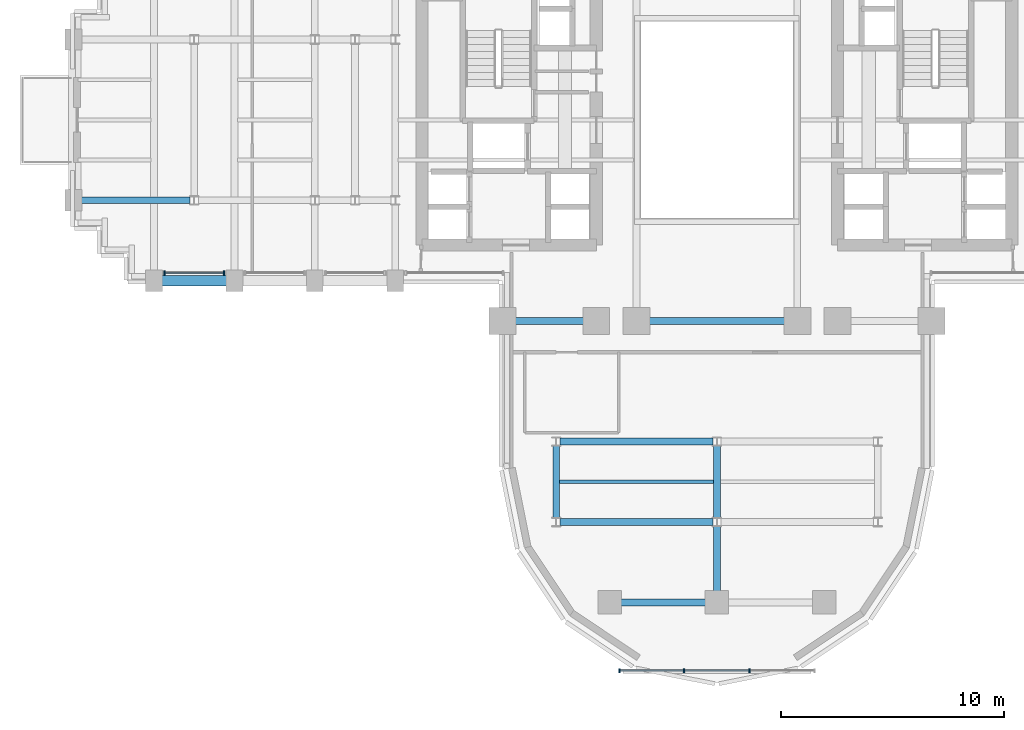
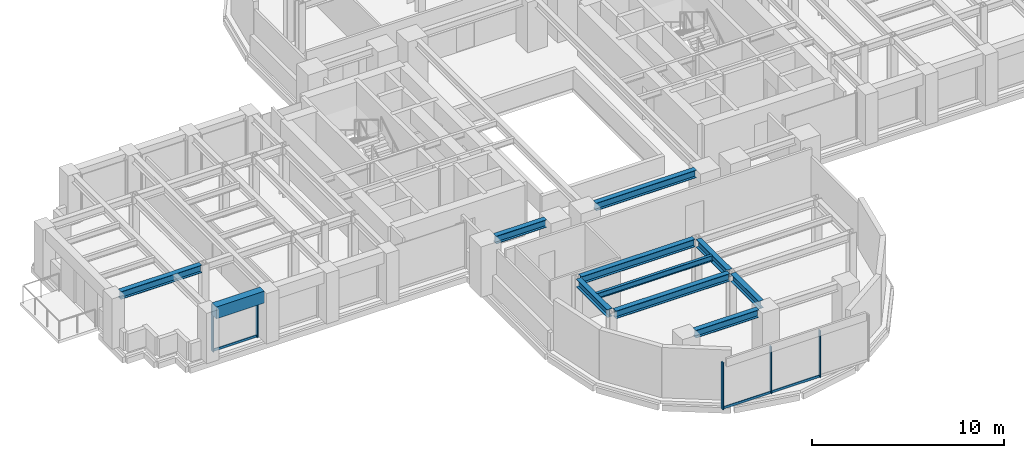
# One storey, part 3 of 15: 11 beams, 8 members, 2 elements without a shape of their own.
"""IFC4 building model written with IfcOpenShell, lengths in metres."""

from ifc_helpers import new_model, si_unit, direction, frame, origin, origin_2d, place, context, subcontext, project, spatial, rectangle, i_section, extrude, source, transform, mapped, material, material_profile, profile_set, type_object, element, aggregate, save


model = new_model("IFC4")

# Units and contexts
model_context = context("Model", 3, precision=1e-05, world=origin(), true_north=direction((0.0, 1.0)))
body_context = subcontext(model_context, "Body", "Model", "MODEL_VIEW")
ifc_project = project(units=[si_unit("LENGTHUNIT", "METRE"), si_unit("AREAUNIT", "SQUARE_METRE"), si_unit("VOLUMEUNIT", "CUBIC_METRE"), si_unit("PLANEANGLEUNIT", "RADIAN"), si_unit("MASSUNIT", "GRAM", prefix="KILO")], contexts=[model_context])

# Site, building, storey
site_placement = place(None, origin())
site = spatial("IfcSite", under=ifc_project, at=site_placement, CompositionType="ELEMENT")
building_placement = place(site_placement, origin())
building = spatial("IfcBuilding", under=site, at=building_placement, Name="Keilestroom Media Tower", CompositionType="ELEMENT")
storey_placement = place(building_placement, frame((0.0, 0.0, 47.60009765625)))
storey = spatial("IfcBuildingStorey", under=building, at=storey_placement, Name="L11", CompositionType="ELEMENT", Elevation=47.60009765625)

# Beams
ifc_material_1 = material(Name="Precast concrete C40/50", Category="concrete")
ifc_material_profile_1 = material_profile(ifc_material_1, rectangle(XDim=0.449951171875, YDim=0.75, at=origin_2d()), Name="PC 450x750")
ifc_profile_set_1 = profile_set([ifc_material_profile_1], Name="Precast concrete C40/50")
beam_type_1 = type_object("IfcBeamType", Name="Perimeter-Spandrel-Beam-PC-450x750", PredefinedType="SPANDREL", material=ifc_profile_set_1)
shared_shape_1 = source(origin(), body_context, "Body", "SweptSolid", [
    extrude(rectangle(XDim=0.449951171875, YDim=0.75, at=origin_2d()), origin(), (0.0, 0.0, 1.0), 2.889892578125),
])
beam_1_placement = place(storey_placement, frame((-24.844970703125, -7.199951171875, 2.824951171875), z_axis=(1.0, 0.0, 0.0), x_axis=(0.0, 1.0, 0.0)))
element("IfcBeam", 1, at=beam_1_placement, inside=storey, type_object=beam_type_1, Name="L11 Beam SPB-1 BM-L11-EW-012", PredefinedType="SPANDREL", context=body_context, shape_type="MappedRepresentation", body=[
    mapped(shared_shape_1, transform((0.0, 0.0, 0.0), x_axis=(1.0, 0.0, 0.0), y_axis=(0.0, 1.0, 0.0), z_axis=(0.0, 0.0, 1.0), scale=1.0)),
])
ifc_material_2 = material(Name="Steel S355", Category="steel")
ifc_material_profile_2 = material_profile(ifc_material_2, i_section(OverallWidth=0.300048828125, OverallDepth=0.5, WebThickness=0.012451171875, FlangeThickness=0.028076171875, at=origin_2d()), Name="HEB 500")
ifc_profile_set_2 = profile_set([ifc_material_profile_2], Name="Steel S355")
beam_type_2 = type_object("IfcBeamType", Name="Primary-Structural-Girder-HEB-500", PredefinedType="BEAM", material=ifc_profile_set_2)
shared_shape_2 = source(origin(), body_context, "Body", "SweptSolid", [
    extrude(i_section(OverallWidth=0.300048828125, OverallDepth=0.5, WebThickness=0.012451171875, FlangeThickness=0.028076171875, at=origin_2d()), origin(), (0.0, 0.0, 1.0), 3.23291015625),
])
for number, where, z_axis, x_axis, name in (
    (2, (-7.199951171875, -17.81640625, 2.949951171875), (0.0, 1.0, 0.0), (-1.0, 0.0, 0.0), "L11 Beam BG-6 BM-L11-NS-063"),
    (3, (0.0, -17.81640625, 2.949951171875), (0.0, 1.0, 0.0), (-1.0, 0.0, 0.0), "L11 Beam BG-6 BM-L11-NS-068"),
):
    element("IfcBeam", number, at=place(storey_placement, frame(where, z_axis=z_axis, x_axis=x_axis)), inside=storey, type_object=beam_type_2, Name=name, PredefinedType="BEAM", context=body_context, shape_type="MappedRepresentation", body=[
        mapped(shared_shape_2, transform((0.0, 0.0, 0.0), x_axis=(1.0, 0.0, 0.0), y_axis=(0.0, 1.0, 0.0), z_axis=(0.0, 0.0, 1.0), scale=1.0)),
    ])
shared_shape_3 = source(origin(), body_context, "Body", "SweptSolid", [
    extrude(i_section(OverallWidth=0.300048828125, OverallDepth=0.5, WebThickness=0.012451171875, FlangeThickness=0.028076171875, at=origin_2d()), origin(), (0.0, 0.0, 1.0), 2.911376953125),
])
beam_2_placement = place(storey_placement, frame((0.0, -21.094970703125, 2.949951171875), z_axis=(0.0, 1.0, 0.0), x_axis=(-1.0, 0.0, 0.0)))
element("IfcBeam", 4, at=beam_2_placement, inside=storey, type_object=beam_type_2, Name="L11 Beam BG-6 BM-L11-NS-067", PredefinedType="BEAM", context=body_context, shape_type="MappedRepresentation", body=[
    mapped(shared_shape_3, transform((0.0, 0.0, 0.0), x_axis=(1.0, 0.0, 0.0), y_axis=(0.0, 1.0, 0.0), z_axis=(0.0, 0.0, 1.0), scale=1.0)),
])
ifc_material_profile_3 = material_profile(ifc_material_2, i_section(OverallWidth=0.300048828125, OverallDepth=0.489990234375, WebThickness=0.011962890625, FlangeThickness=0.02294921875, at=origin_2d()), Name="HEA 500")
ifc_profile_set_3 = profile_set([ifc_material_profile_3], Name="Steel S355")
beam_type_3 = type_object("IfcBeamType", Name="Primary-Structural-Girder-HEA-500", PredefinedType="BEAM", material=ifc_profile_set_3)
shared_shape_4 = source(origin(), body_context, "Body", "SweptSolid", [
    extrude(i_section(OverallWidth=0.300048828125, OverallDepth=0.489990234375, WebThickness=0.011962890625, FlangeThickness=0.02294921875, at=origin_2d()), origin(), (0.0, 0.0, 1.0), 3.7900390625),
])
beam_3_placement = place(storey_placement, frame((-4.294921875, -21.60009765625, 2.954833984375), z_axis=(1.0, 0.0, 0.0), x_axis=(0.0, 1.0, 0.0)))
element("IfcBeam", 5, at=beam_3_placement, inside=storey, type_object=beam_type_3, Name="L11 Beam BG-10 BM-L11-EW-001", PredefinedType="BEAM", context=body_context, shape_type="MappedRepresentation", body=[
    mapped(shared_shape_4, transform((0.0, 0.0, 0.0), x_axis=(1.0, 0.0, 0.0), y_axis=(0.0, 1.0, 0.0), z_axis=(0.0, 0.0, 1.0), scale=1.0)),
])
shared_shape_5 = source(origin(), body_context, "Body", "SweptSolid", [
    extrude(i_section(OverallWidth=0.300048828125, OverallDepth=0.489990234375, WebThickness=0.011962890625, FlangeThickness=0.02294921875, at=origin_2d()), origin(), (0.0, 0.0, 1.0), 6.836181640625),
])
for number, where, z_axis, x_axis, name in (
    (6, (-7.01806640625, -18.0, 2.954833984375), (1.0, 0.0, 0.0), (0.0, 1.0, 0.0), "L11 Beam BG-10 BM-L11-EW-003"),
    (7, (-7.01806640625, -14.39990234375, 2.954833984375), (1.0, 0.0, 0.0), (0.0, 1.0, 0.0), "L11 Beam BG-10 BM-L11-EW-005"),
):
    element("IfcBeam", number, at=place(storey_placement, frame(where, z_axis=z_axis, x_axis=x_axis)), inside=storey, type_object=beam_type_3, Name=name, PredefinedType="BEAM", context=body_context, shape_type="MappedRepresentation", body=[
        mapped(shared_shape_5, transform((0.0, 0.0, 0.0), x_axis=(1.0, 0.0, 0.0), y_axis=(0.0, 1.0, 0.0), z_axis=(0.0, 0.0, 1.0), scale=1.0)),
    ])
shared_shape_6 = source(origin(), body_context, "Body", "SweptSolid", [
    extrude(i_section(OverallWidth=0.300048828125, OverallDepth=0.489990234375, WebThickness=0.011962890625, FlangeThickness=0.02294921875, at=origin_2d()), origin(), (0.0, 0.0, 1.0), 3.0400390625),
])
beam_4_placement = place(storey_placement, frame((-9.02001953125, -9.0, 2.954833984375), z_axis=(1.0, 0.0, 0.0), x_axis=(0.0, 1.0, 0.0)))
element("IfcBeam", 8, at=beam_4_placement, inside=storey, type_object=beam_type_3, Name="L11 Beam BG-10 BM-L11-EW-007", PredefinedType="BEAM", context=body_context, shape_type="MappedRepresentation", body=[
    mapped(shared_shape_6, transform((0.0, 0.0, 0.0), x_axis=(1.0, 0.0, 0.0), y_axis=(0.0, 1.0, 0.0), z_axis=(0.0, 0.0, 1.0), scale=1.0)),
])
shared_shape_7 = source(origin(), body_context, "Body", "SweptSolid", [
    extrude(i_section(OverallWidth=0.300048828125, OverallDepth=0.489990234375, WebThickness=0.011962890625, FlangeThickness=0.02294921875, at=origin_2d()), origin(), (0.0, 0.0, 1.0), 6.0400390625),
])
beam_5_placement = place(storey_placement, frame((-3.02001953125, -9.0, 2.954833984375), z_axis=(1.0, 0.0, 0.0), x_axis=(0.0, 1.0, 0.0)))
element("IfcBeam", 9, at=beam_5_placement, inside=storey, type_object=beam_type_3, Name="L11 Beam BG-10 BM-L11-EW-009", PredefinedType="BEAM", context=body_context, shape_type="MappedRepresentation", body=[
    mapped(shared_shape_7, transform((0.0, 0.0, 0.0), x_axis=(1.0, 0.0, 0.0), y_axis=(0.0, 1.0, 0.0), z_axis=(0.0, 0.0, 1.0), scale=1.0)),
])
shared_shape_8 = source(origin(), body_context, "Body", "SweptSolid", [
    extrude(i_section(OverallWidth=0.300048828125, OverallDepth=0.489990234375, WebThickness=0.011962890625, FlangeThickness=0.02294921875, at=origin_2d()), origin(), (0.0, 0.0, 1.0), 4.863037109375),
])
beam_6_placement = place(storey_placement, frame((-28.445068359375, -3.60009765625, 2.954833984375), z_axis=(1.0, 0.0, 0.0), x_axis=(0.0, 1.0, 0.0)))
element("IfcBeam", 10, at=beam_6_placement, inside=storey, type_object=beam_type_3, Name="L11 Beam BG-10 BM-L11-EW-018", PredefinedType="BEAM", context=body_context, shape_type="MappedRepresentation", body=[
    mapped(shared_shape_8, transform((0.0, 0.0, 0.0), x_axis=(1.0, 0.0, 0.0), y_axis=(0.0, 1.0, 0.0), z_axis=(0.0, 0.0, 1.0), scale=1.0)),
])
ifc_material_profile_4 = material_profile(ifc_material_2, i_section(OverallWidth=0.169921875, OverallDepth=0.360107421875, WebThickness=0.008056640625, FlangeThickness=0.0126953125, at=origin_2d()), Name="IPE 360")
ifc_profile_set_4 = profile_set([ifc_material_profile_4], Name="Steel S355")
beam_type_4 = type_object("IfcBeamType", Name="Secondary-Floor-Joist-IPE-360", PredefinedType="JOIST", material=ifc_profile_set_4)
shared_shape_9 = source(origin(), body_context, "Body", "SweptSolid", [
    extrude(i_section(OverallWidth=0.169921875, OverallDepth=0.360107421875, WebThickness=0.008056640625, FlangeThickness=0.0126953125, at=origin_2d()), origin(), (0.0, 0.0, 1.0), 6.940185546875),
])
beam_7_placement = place(storey_placement, frame((-7.070068359375, -16.199951171875, 3.02001953125), z_axis=(1.0, 0.0, 0.0), x_axis=(0.0, 1.0, 0.0)))
element("IfcBeam", 11, at=beam_7_placement, inside=storey, type_object=beam_type_4, Name="L11 Beam BJ-5 JST-L11-087", PredefinedType="JOIST", context=body_context, shape_type="MappedRepresentation", body=[
    mapped(shared_shape_9, transform((0.0, 0.0, 0.0), x_axis=(1.0, 0.0, 0.0), y_axis=(0.0, 1.0, 0.0), z_axis=(0.0, 0.0, 1.0), scale=1.0)),
])

# Curtain wall, members
ifc_material_3 = material(Name="Anodised Aluminium Alloy", Category="aluminium")
curtain_wall_type_1 = type_object("IfcCurtainWallType", Name="Unitised-Curtain-Wall-CW-1", PredefinedType="NOTDEFINED", material=ifc_material_3)
curtain_wall_1_placement = place(storey_placement, origin())
curtain_wall_1 = element("IfcCurtainWall", 12, at=curtain_wall_1_placement, inside=storey, type_object=curtain_wall_type_1, Name="L11 Curtain Wall CW-1 CW-L11-SW-1", PredefinedType="NOTDEFINED")
ifc_material_profile_5 = material_profile(ifc_material_3, rectangle(XDim=0.070068359375, YDim=0.199951171875, at=origin_2d()), Name="ALU MULLION 70x200")
ifc_profile_set_5 = profile_set([ifc_material_profile_5], Name="Anodised Aluminium Alloy")
member_type_1 = type_object("IfcMemberType", Name="Curtain-Wall-Mullion-CW-1", PredefinedType="MULLION", material=ifc_profile_set_5)
shared_shape_10 = source(origin(), body_context, "Body", "SweptSolid", [
    extrude(rectangle(XDim=0.070068359375, YDim=0.199951171875, at=origin_2d()), origin(), (0.0, 0.0, 1.0), 2.97998046875),
])
member_1_placement = place(storey_placement, frame((-24.72998046875, -6.85009765625, 0.0), z_axis=(0.0, 0.0, 1.0), x_axis=(1.0, 0.0, 0.0)))
member_1 = element("IfcMember", 13, at=member_1_placement, type_object=member_type_1, Name="CW-1 Mullion 00", PredefinedType="MULLION", context=body_context, shape_type="MappedRepresentation", body=[
    mapped(shared_shape_10, transform((0.0, 0.0, 0.0), x_axis=(1.0, 0.0, 0.0), y_axis=(0.0, 1.0, 0.0), z_axis=(0.0, 0.0, 1.0), scale=1.0)),
])
member_2_placement = place(storey_placement, frame((-22.070068359375, -6.85009765625, 0.0), z_axis=(0.0, 0.0, 1.0), x_axis=(1.0, 0.0, 0.0)))
member_2 = element("IfcMember", 14, at=member_2_placement, type_object=member_type_1, Name="CW-1 Mullion 01", PredefinedType="MULLION", context=body_context, shape_type="MappedRepresentation", body=[
    mapped(shared_shape_10, transform((0.0, 0.0, 0.0), x_axis=(1.0, 0.0, 0.0), y_axis=(0.0, 1.0, 0.0), z_axis=(0.0, 0.0, 1.0), scale=1.0)),
])
ifc_material_profile_6 = material_profile(ifc_material_3, rectangle(XDim=0.06494140625, YDim=0.14990234375, at=origin_2d()), Name="ALU TRANSOM 65x150")
ifc_profile_set_6 = profile_set([ifc_material_profile_6], Name="Anodised Aluminium Alloy")
member_type_2 = type_object("IfcMemberType", Name="Curtain-Wall-Transom-CW-1", PredefinedType="USERDEFINED", material=ifc_profile_set_6)
shared_shape_11 = source(origin(), body_context, "Body", "SweptSolid", [
    extrude(rectangle(XDim=0.06494140625, YDim=0.14990234375, at=origin_2d()), origin(), (0.0, 0.0, 1.0), 2.593994140625),
])
member_3_placement = place(storey_placement, frame((-24.697021484375, -6.85009765625, 0.074951171875), z_axis=(1.0, 0.0, 0.0), x_axis=(0.0, 1.0, 0.0)))
member_3 = element("IfcMember", 15, at=member_3_placement, type_object=member_type_2, Name="CW-1 Transom 00.1", ObjectType="TRANSOM", PredefinedType="USERDEFINED", context=body_context, shape_type="MappedRepresentation", body=[
    mapped(shared_shape_11, transform((0.0, 0.0, 0.0), x_axis=(1.0, 0.0, 0.0), y_axis=(0.0, 1.0, 0.0), z_axis=(0.0, 0.0, 1.0), scale=1.0)),
])
aggregate(curtain_wall_1, [member_1, member_2, member_3])

curtain_wall_type_2 = type_object("IfcCurtainWallType", Name="Unitised-Curtain-Wall-CW-6", PredefinedType="NOTDEFINED", material=ifc_material_3)
curtain_wall_2_placement = place(storey_placement, origin())
curtain_wall_2 = element("IfcCurtainWall", 16, at=curtain_wall_2_placement, inside=storey, type_object=curtain_wall_type_2, Name="L11 Curtain Wall CW-6 CW-L11-LS-1", PredefinedType="NOTDEFINED")
ifc_material_profile_7 = material_profile(ifc_material_3, rectangle(XDim=0.06494140625, YDim=0.179931640625, at=origin_2d()), Name="ALU MULLION 65x180")
ifc_profile_set_7 = profile_set([ifc_material_profile_7], Name="Anodised Aluminium Alloy")
member_type_3 = type_object("IfcMemberType", Name="Curtain-Wall-Mullion-CW-6", PredefinedType="MULLION", material=ifc_profile_set_7)
shared_shape_12 = source(origin(), body_context, "Body", "SweptSolid", [
    extrude(rectangle(XDim=0.06494140625, YDim=0.179931640625, at=origin_2d()), origin(), (0.0, 0.0, 1.0), 2.97998046875),
])
member_4_placement = place(storey_placement, frame((-4.367431640625, -24.64990234375, 0.0), z_axis=(0.0, 0.0, 1.0), x_axis=(1.0, 0.0, 0.0)))
member_4 = element("IfcMember", 17, at=member_4_placement, type_object=member_type_3, Name="CW-6 Mullion 00", PredefinedType="MULLION", context=body_context, shape_type="MappedRepresentation", body=[
    mapped(shared_shape_12, transform((0.0, 0.0, 0.0), x_axis=(1.0, 0.0, 0.0), y_axis=(0.0, 1.0, 0.0), z_axis=(0.0, 0.0, 1.0), scale=1.0)),
])
member_5_placement = place(storey_placement, frame((-1.466796875, -24.64990234375, 0.0), z_axis=(0.0, 0.0, 1.0), x_axis=(1.0, 0.0, 0.0)))
member_5 = element("IfcMember", 18, at=member_5_placement, type_object=member_type_3, Name="CW-6 Mullion 01", PredefinedType="MULLION", context=body_context, shape_type="MappedRepresentation", body=[
    mapped(shared_shape_12, transform((0.0, 0.0, 0.0), x_axis=(1.0, 0.0, 0.0), y_axis=(0.0, 1.0, 0.0), z_axis=(0.0, 0.0, 1.0), scale=1.0)),
])
member_6_placement = place(storey_placement, frame((1.466796875, -24.64990234375, 0.0), z_axis=(0.0, 0.0, 1.0), x_axis=(1.0, 0.0, 0.0)))
member_6 = element("IfcMember", 19, at=member_6_placement, type_object=member_type_3, Name="CW-6 Mullion 02", PredefinedType="MULLION", context=body_context, shape_type="MappedRepresentation", body=[
    mapped(shared_shape_12, transform((0.0, 0.0, 0.0), x_axis=(1.0, 0.0, 0.0), y_axis=(0.0, 1.0, 0.0), z_axis=(0.0, 0.0, 1.0), scale=1.0)),
])
ifc_material_profile_8 = material_profile(ifc_material_3, rectangle(XDim=0.06494140625, YDim=0.14990234375, at=origin_2d()), Name="ALU TRANSOM 65x150")
ifc_profile_set_8 = profile_set([ifc_material_profile_8], Name="Anodised Aluminium Alloy")
member_type_4 = type_object("IfcMemberType", Name="Curtain-Wall-Transom-CW-6", PredefinedType="USERDEFINED", material=ifc_profile_set_8)
shared_shape_13 = source(origin(), body_context, "Body", "SweptSolid", [
    extrude(rectangle(XDim=0.06494140625, YDim=0.14990234375, at=origin_2d()), origin(), (0.0, 0.0, 1.0), 2.839599609375),
])
member_7_placement = place(storey_placement, frame((-4.3369140625, -24.64990234375, 0.074951171875), z_axis=(1.0, 0.0, 0.0), x_axis=(0.0, 1.0, 0.0)))
member_7 = element("IfcMember", 20, at=member_7_placement, type_object=member_type_4, Name="CW-6 Transom 00.1", ObjectType="TRANSOM", PredefinedType="USERDEFINED", context=body_context, shape_type="MappedRepresentation", body=[
    mapped(shared_shape_13, transform((0.0, 0.0, 0.0), x_axis=(1.0, 0.0, 0.0), y_axis=(0.0, 1.0, 0.0), z_axis=(0.0, 0.0, 1.0), scale=1.0)),
])
shared_shape_14 = source(origin(), body_context, "Body", "SweptSolid", [
    extrude(rectangle(XDim=0.06494140625, YDim=0.14990234375, at=origin_2d()), origin(), (0.0, 0.0, 1.0), 2.87255859375),
])
member_8_placement = place(storey_placement, frame((-1.436279296875, -24.64990234375, 0.074951171875), z_axis=(1.0, 0.0, 0.0), x_axis=(0.0, 1.0, 0.0)))
member_8 = element("IfcMember", 21, at=member_8_placement, type_object=member_type_4, Name="CW-6 Transom 01.1", ObjectType="TRANSOM", PredefinedType="USERDEFINED", context=body_context, shape_type="MappedRepresentation", body=[
    mapped(shared_shape_14, transform((0.0, 0.0, 0.0), x_axis=(1.0, 0.0, 0.0), y_axis=(0.0, 1.0, 0.0), z_axis=(0.0, 0.0, 1.0), scale=1.0)),
])
aggregate(curtain_wall_2, [member_4, member_5, member_6, member_7, member_8])

save(model, "model.ifc")
